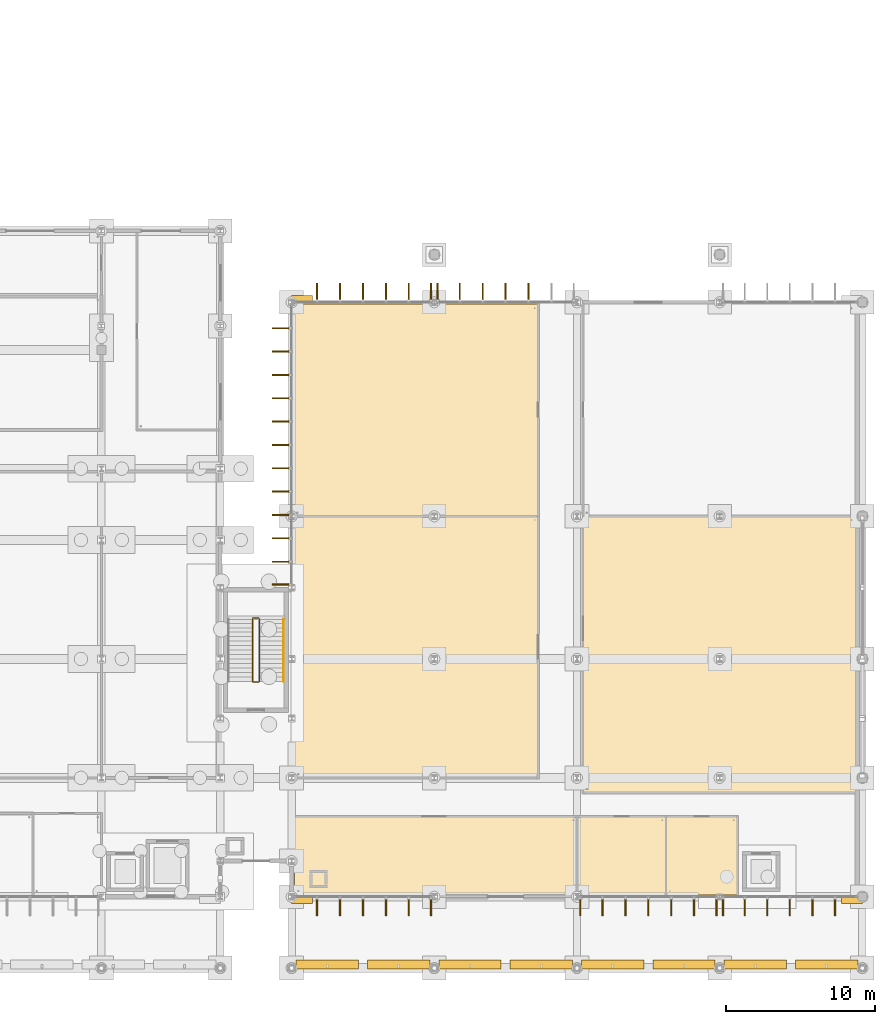
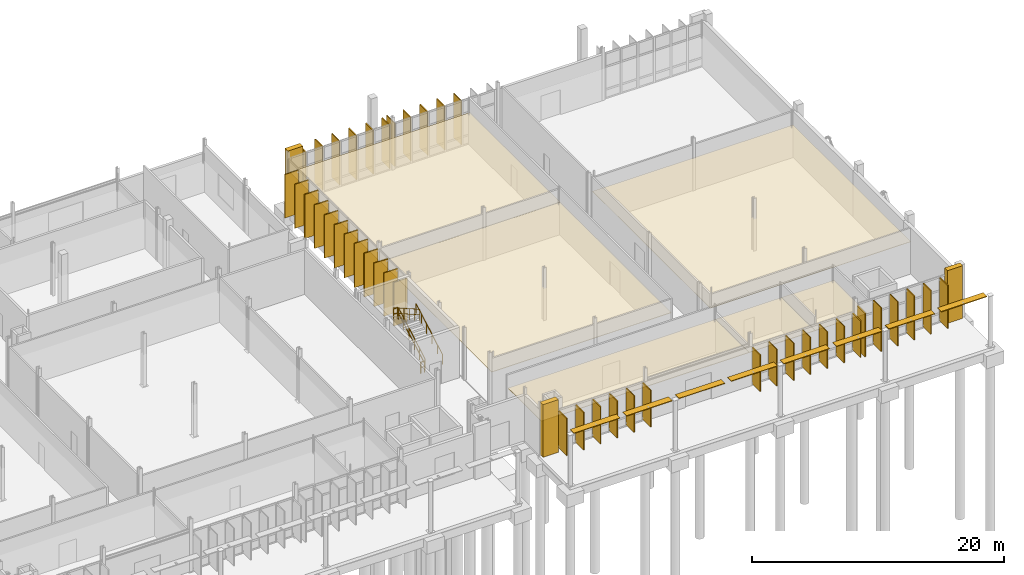
# One storey, part 109 of 111: 51 coverings, 8 shading devices, 5 railings.
"""IFC4 building model written with IfcOpenShell, lengths in metres."""

from ifc_helpers import new_model, si_unit, direction, frame, origin, origin_2d, place, context, subcontext, project, spatial, polyline, rectangle, circle, outline, extrude, material, layer, layer_set, type_object, element, save


model = new_model("IFC4")

# Units and contexts
model_context = context("Model", 3, precision=1e-05, world=origin(), true_north=direction((0.0, 1.0)))
body_context = subcontext(model_context, "Body", "Model", "MODEL_VIEW")
ifc_project = project(units=[si_unit("LENGTHUNIT", "METRE"), si_unit("AREAUNIT", "SQUARE_METRE"), si_unit("VOLUMEUNIT", "CUBIC_METRE"), si_unit("PLANEANGLEUNIT", "RADIAN"), si_unit("MASSUNIT", "GRAM", prefix="KILO")], contexts=[model_context])

# Site, building, storey
site_placement = place(None, origin())
site = spatial("IfcSite", under=ifc_project, at=site_placement, CompositionType="ELEMENT")
building_placement = place(site_placement, origin())
building = spatial("IfcBuilding", under=site, at=building_placement, Name="Dunescarp Central Library", CompositionType="ELEMENT")
storey_placement = place(building_placement, origin())
storey = spatial("IfcBuildingStorey", under=building, at=storey_placement, Name="L00", CompositionType="ELEMENT", Elevation=0.0)

# Coverings
ifc_material_1 = material(Name="Perforated birch acoustic timber baffle", Category="wood")
ifc_layer_1 = layer(ifc_material_1, 0.050048828125)
ifc_layer_set_1 = layer_set([ifc_layer_1], Name="Perforated birch acoustic timber baffle")
covering_type_1 = type_object("IfcCoveringType", Name="ARC-COV-BAFFLE", PredefinedType="CEILING", material=ifc_layer_set_1)
covering_1_placement = place(storey_placement, frame((0.0, 0.0, 3.050048828125)))
element("IfcCovering", 1, at=covering_1_placement, inside=storey, type_object=covering_type_1, Name="L00 ceiling Street-Front Library Cafe & Reading Bar", PredefinedType="CEILING", context=body_context, shape_type="SweptSolid", body=[
    extrude(outline(polyline([(129.780029296875, 4.919921875), (148.820068359375, 4.919921875), (148.820068359375, 10.219970703125), (129.780029296875, 10.219970703125), (129.780029296875, 4.919921875)])), origin(), (0.0, 0.0, 1.0), 0.050048828125),
])
covering_2_placement = place(storey_placement, frame((0.0, 0.0, 3.050048828125)))
element("IfcCovering", 2, at=covering_2_placement, inside=storey, type_object=covering_type_1, Name="L00 ceiling Cafe Servery & Pantry Store", PredefinedType="CEILING", context=body_context, shape_type="SweptSolid", body=[
    extrude(outline(polyline([(148.780029296875, 4.919921875), (154.820068359375, 4.919921875), (154.820068359375, 10.219970703125), (148.780029296875, 10.219970703125), (148.780029296875, 4.919921875)])), origin(), (0.0, 0.0, 1.0), 0.050048828125),
])
covering_3_placement = place(storey_placement, frame((0.0, 0.0, 3.050048828125)))
element("IfcCovering", 3, at=covering_3_placement, inside=storey, type_object=covering_type_1, Name="L00 ceiling Courtyard Quiet Reading Pavilion", PredefinedType="CEILING", context=body_context, shape_type="SweptSolid", body=[
    extrude(outline(polyline([(129.719970703125, 30.3798828125), (146.219970703125, 30.3798828125), (146.219970703125, 44.679931640625), (129.719970703125, 44.679931640625), (129.719970703125, 30.3798828125)])), origin(), (0.0, 0.0, 1.0), 0.050048828125),
])
ifc_material_2 = material(Name="Mineral-fibre acoustic ceiling tile")
ifc_layer_2 = layer(ifc_material_2, 0.0400390625)
ifc_layer_set_2 = layer_set([ifc_layer_2], Name="Mineral-fibre acoustic ceiling tile")
covering_type_2 = type_object("IfcCoveringType", Name="ARC-COV-CEIL40", PredefinedType="CEILING", material=ifc_layer_set_2)
covering_4_placement = place(storey_placement, frame((0.0, 0.0, 3.050048828125)))
element("IfcCovering", 4, at=covering_4_placement, inside=storey, type_object=covering_type_2, Name="L00 ceiling Family & Accessible WC", PredefinedType="CEILING", context=body_context, shape_type="SweptSolid", body=[
    extrude(outline(polyline([(154.780029296875, 4.919921875), (159.6201171875, 4.919921875), (159.6201171875, 10.219970703125), (154.780029296875, 10.219970703125), (154.780029296875, 4.919921875)])), origin(), (0.0, 0.0, 1.0), 0.0400390625),
])
covering_5_placement = place(storey_placement, frame((0.0, 0.0, 3.050048828125)))
element("IfcCovering", 5, at=covering_5_placement, inside=storey, type_object=covering_type_2, Name="L00 ceiling Early-Childhood Storytelling Amphitheatre", PredefinedType="CEILING", context=body_context, shape_type="SweptSolid", body=[
    extrude(outline(polyline([(129.780029296875, 12.780029296875), (146.219970703125, 12.780029296875), (146.219970703125, 30.419921875), (129.780029296875, 30.419921875), (129.780029296875, 12.780029296875)])), origin(), (0.0, 0.0, 1.0), 0.0400390625),
])
covering_6_placement = place(storey_placement, frame((0.0, 0.0, 3.050048828125)))
element("IfcCovering", 6, at=covering_6_placement, inside=storey, type_object=covering_type_2, Name="L00 ceiling Illustrated Picture-Book Hall", PredefinedType="CEILING", context=body_context, shape_type="SweptSolid", body=[
    extrude(outline(polyline([(149.179931640625, 11.780029296875), (167.530029296875, 11.780029296875), (167.530029296875, 30.419921875), (149.179931640625, 30.419921875), (149.179931640625, 11.780029296875)])), origin(), (0.0, 0.0, 1.0), 0.0400390625),
])
ifc_material_3 = material(Name="Glass-fibre reinforced concrete GRC", Category="concrete")
ifc_layer_3 = layer(ifc_material_3, 0.090087890625)
ifc_layer_set_3 = layer_set([ifc_layer_3], Name="Glass-fibre reinforced concrete GRC")
covering_type_3 = type_object("IfcCoveringType", Name="ARC-COV-FIN1250", PredefinedType="CLADDING", material=ifc_layer_set_3)
covering_7_placement = place(storey_placement, frame((138.985107421875, 4.137939453125, 0.1669921875), z_axis=(0.0, 0.0, 1.0), x_axis=(0.0, -1.0, 0.0)))
element("IfcCovering", 7, at=covering_7_placement, inside=storey, type_object=covering_type_3, Name="L00 parametric vertical facade fin FIN-L00-0916", PredefinedType="CLADDING", context=body_context, shape_type="SweptSolid", body=[
    extrude(rectangle(XDim=1.25, YDim=0.090087890625, at=origin_2d()), origin(), (0.0, 0.0, 1.0), 3.55810546875),
])
covering_8_placement = place(storey_placement, frame((137.48291015625, 4.137939453125, 0.180419921875), z_axis=(0.0, 0.0, 1.0), x_axis=(0.0, -1.0, 0.0)))
element("IfcCovering", 8, at=covering_8_placement, inside=storey, type_object=covering_type_3, Name="L00 parametric vertical facade fin FIN-L00-0917", PredefinedType="CLADDING", context=body_context, shape_type="SweptSolid", body=[
    extrude(rectangle(XDim=1.25, YDim=0.090087890625, at=origin_2d()), origin(), (0.0, 0.0, 1.0), 3.544921875),
])
covering_9_placement = place(storey_placement, frame((135.94189453125, 4.137939453125, 0.16455078125), z_axis=(0.0, 0.0, 1.0), x_axis=(0.0, -1.0, 0.0)))
element("IfcCovering", 9, at=covering_9_placement, inside=storey, type_object=covering_type_3, Name="L00 parametric vertical facade fin FIN-L00-0918", PredefinedType="CLADDING", context=body_context, shape_type="SweptSolid", body=[
    extrude(rectangle(XDim=1.25, YDim=0.090087890625, at=origin_2d()), origin(), (0.0, 0.0, 1.0), 3.56103515625),
])
covering_10_placement = place(storey_placement, frame((134.39990234375, 4.137939453125, 0.123046875), z_axis=(0.0, 0.0, 1.0), x_axis=(0.0, -1.0, 0.0)))
element("IfcCovering", 10, at=covering_10_placement, inside=storey, type_object=covering_type_3, Name="L00 parametric vertical facade fin FIN-L00-0919", PredefinedType="CLADDING", context=body_context, shape_type="SweptSolid", body=[
    extrude(rectangle(XDim=1.25, YDim=0.090087890625, at=origin_2d()), origin(), (0.0, 0.0, 1.0), 3.60205078125),
])
covering_11_placement = place(storey_placement, frame((132.85791015625, 4.137939453125, 0.080078125), z_axis=(0.0, 0.0, 1.0), x_axis=(0.0, -1.0, 0.0)))
element("IfcCovering", 11, at=covering_11_placement, inside=storey, type_object=covering_type_3, Name="L00 parametric vertical facade fin FIN-L00-0920", PredefinedType="CLADDING", context=body_context, shape_type="SweptSolid", body=[
    extrude(rectangle(XDim=1.25, YDim=0.090087890625, at=origin_2d()), origin(), (0.0, 0.0, 1.0), 3.634033203125),
])
covering_12_placement = place(storey_placement, frame((131.31689453125, 4.137939453125, 0.080078125), z_axis=(0.0, 0.0, 1.0), x_axis=(0.0, -1.0, 0.0)))
element("IfcCovering", 12, at=covering_12_placement, inside=storey, type_object=covering_type_3, Name="L00 parametric vertical facade fin FIN-L00-0921", PredefinedType="CLADDING", context=body_context, shape_type="SweptSolid", body=[
    extrude(rectangle(XDim=1.25, YDim=0.090087890625, at=origin_2d()), origin(), (0.0, 0.0, 1.0), 3.583984375),
])
covering_13_placement = place(storey_placement, frame((158.18505859375, 4.137939453125, 0.1669921875), z_axis=(0.0, 0.0, 1.0), x_axis=(0.0, -1.0, 0.0)))
element("IfcCovering", 13, at=covering_13_placement, inside=storey, type_object=covering_type_3, Name="L00 parametric vertical facade fin FIN-L00-0922", PredefinedType="CLADDING", context=body_context, shape_type="SweptSolid", body=[
    extrude(rectangle(XDim=1.25, YDim=0.090087890625, at=origin_2d()), origin(), (0.0, 0.0, 1.0), 3.55810546875),
])
covering_14_placement = place(storey_placement, frame((156.68310546875, 4.137939453125, 0.180419921875), z_axis=(0.0, 0.0, 1.0), x_axis=(0.0, -1.0, 0.0)))
element("IfcCovering", 14, at=covering_14_placement, inside=storey, type_object=covering_type_3, Name="L00 parametric vertical facade fin FIN-L00-0923", PredefinedType="CLADDING", context=body_context, shape_type="SweptSolid", body=[
    extrude(rectangle(XDim=1.25, YDim=0.090087890625, at=origin_2d()), origin(), (0.0, 0.0, 1.0), 3.544921875),
])
covering_15_placement = place(storey_placement, frame((155.14208984375, 4.137939453125, 0.16455078125), z_axis=(0.0, 0.0, 1.0), x_axis=(0.0, -1.0, 0.0)))
element("IfcCovering", 15, at=covering_15_placement, inside=storey, type_object=covering_type_3, Name="L00 parametric vertical facade fin FIN-L00-0924", PredefinedType="CLADDING", context=body_context, shape_type="SweptSolid", body=[
    extrude(rectangle(XDim=1.25, YDim=0.090087890625, at=origin_2d()), origin(), (0.0, 0.0, 1.0), 3.56103515625),
])
covering_16_placement = place(storey_placement, frame((153.60009765625, 4.137939453125, 0.123046875), z_axis=(0.0, 0.0, 1.0), x_axis=(0.0, -1.0, 0.0)))
element("IfcCovering", 16, at=covering_16_placement, inside=storey, type_object=covering_type_3, Name="L00 parametric vertical facade fin FIN-L00-0925", PredefinedType="CLADDING", context=body_context, shape_type="SweptSolid", body=[
    extrude(rectangle(XDim=1.25, YDim=0.090087890625, at=origin_2d()), origin(), (0.0, 0.0, 1.0), 3.60205078125),
])
covering_17_placement = place(storey_placement, frame((152.05810546875, 4.137939453125, 0.080078125), z_axis=(0.0, 0.0, 1.0), x_axis=(0.0, -1.0, 0.0)))
element("IfcCovering", 17, at=covering_17_placement, inside=storey, type_object=covering_type_3, Name="L00 parametric vertical facade fin FIN-L00-0926", PredefinedType="CLADDING", context=body_context, shape_type="SweptSolid", body=[
    extrude(rectangle(XDim=1.25, YDim=0.090087890625, at=origin_2d()), origin(), (0.0, 0.0, 1.0), 3.634033203125),
])
covering_18_placement = place(storey_placement, frame((150.51708984375, 4.137939453125, 0.080078125), z_axis=(0.0, 0.0, 1.0), x_axis=(0.0, -1.0, 0.0)))
element("IfcCovering", 18, at=covering_18_placement, inside=storey, type_object=covering_type_3, Name="L00 parametric vertical facade fin FIN-L00-0927", PredefinedType="CLADDING", context=body_context, shape_type="SweptSolid", body=[
    extrude(rectangle(XDim=1.25, YDim=0.090087890625, at=origin_2d()), origin(), (0.0, 0.0, 1.0), 3.583984375),
])
covering_19_placement = place(storey_placement, frame((149.014892578125, 4.137939453125, 0.07958984375), z_axis=(0.0, 0.0, 1.0), x_axis=(0.0, -1.0, 0.0)))
element("IfcCovering", 19, at=covering_19_placement, inside=storey, type_object=covering_type_3, Name="L00 parametric vertical facade fin FIN-L00-0928", PredefinedType="CLADDING", context=body_context, shape_type="SweptSolid", body=[
    extrude(rectangle(XDim=1.25, YDim=0.090087890625, at=origin_2d()), origin(), (0.0, 0.0, 1.0), 3.551025390625),
])
covering_20_placement = place(storey_placement, frame((166.14990234375, 4.137939453125, 0.18017578125), z_axis=(0.0, 0.0, 1.0), x_axis=(0.0, -1.0, 0.0)))
element("IfcCovering", 20, at=covering_20_placement, inside=storey, type_object=covering_type_3, Name="L00 parametric vertical facade fin FIN-L00-0929", PredefinedType="CLADDING", context=body_context, shape_type="SweptSolid", body=[
    extrude(rectangle(XDim=1.25, YDim=0.090087890625, at=origin_2d()), origin(), (0.0, 0.0, 1.0), 4.181884765625),
])
covering_21_placement = place(storey_placement, frame((164.635009765625, 4.137939453125, 0.1640625), z_axis=(0.0, 0.0, 1.0), x_axis=(0.0, -1.0, 0.0)))
element("IfcCovering", 21, at=covering_21_placement, inside=storey, type_object=covering_type_3, Name="L00 parametric vertical facade fin FIN-L00-0930", PredefinedType="CLADDING", context=body_context, shape_type="SweptSolid", body=[
    extrude(rectangle(XDim=1.25, YDim=0.090087890625, at=origin_2d()), origin(), (0.0, 0.0, 1.0), 4.197998046875),
])
covering_22_placement = place(storey_placement, frame((163.1201171875, 4.137939453125, 0.12353515625), z_axis=(0.0, 0.0, 1.0), x_axis=(0.0, -1.0, 0.0)))
element("IfcCovering", 22, at=covering_22_placement, inside=storey, type_object=covering_type_3, Name="L00 parametric vertical facade fin FIN-L00-0931", PredefinedType="CLADDING", context=body_context, shape_type="SweptSolid", body=[
    extrude(rectangle(XDim=1.25, YDim=0.090087890625, at=origin_2d()), origin(), (0.0, 0.0, 1.0), 4.239013671875),
])
covering_23_placement = place(storey_placement, frame((161.60498046875, 4.137939453125, 0.08056640625), z_axis=(0.0, 0.0, 1.0), x_axis=(0.0, -1.0, 0.0)))
element("IfcCovering", 23, at=covering_23_placement, inside=storey, type_object=covering_type_3, Name="L00 parametric vertical facade fin FIN-L00-0932", PredefinedType="CLADDING", context=body_context, shape_type="SweptSolid", body=[
    extrude(rectangle(XDim=1.25, YDim=0.090087890625, at=origin_2d()), origin(), (0.0, 0.0, 1.0), 4.27099609375),
])
covering_24_placement = place(storey_placement, frame((160.090087890625, 4.137939453125, 0.08056640625), z_axis=(0.0, 0.0, 1.0), x_axis=(0.0, -1.0, 0.0)))
element("IfcCovering", 24, at=covering_24_placement, inside=storey, type_object=covering_type_3, Name="L00 parametric vertical facade fin FIN-L00-0933", PredefinedType="CLADDING", context=body_context, shape_type="SweptSolid", body=[
    extrude(rectangle(XDim=1.25, YDim=0.090087890625, at=origin_2d()), origin(), (0.0, 0.0, 1.0), 4.220947265625),
])
covering_25_placement = place(storey_placement, frame((158.614990234375, 4.137939453125, 0.080078125), z_axis=(0.0, 0.0, 1.0), x_axis=(0.0, -1.0, 0.0)))
element("IfcCovering", 25, at=covering_25_placement, inside=storey, type_object=covering_type_3, Name="L00 parametric vertical facade fin FIN-L00-0934", PredefinedType="CLADDING", context=body_context, shape_type="SweptSolid", body=[
    extrude(rectangle(XDim=1.25, YDim=0.090087890625, at=origin_2d()), origin(), (0.0, 0.0, 1.0), 4.18798828125),
])
covering_26_placement = place(storey_placement, frame((131.31689453125, 45.4619140625, 0.18017578125), z_axis=(0.0, 0.0, 1.0), x_axis=(0.0, 1.0, 0.0)))
element("IfcCovering", 26, at=covering_26_placement, inside=storey, type_object=covering_type_3, Name="L00 parametric vertical facade fin FIN-L00-0935", PredefinedType="CLADDING", context=body_context, shape_type="SweptSolid", body=[
    extrude(rectangle(XDim=1.25, YDim=0.090087890625, at=origin_2d()), origin(), (0.0, 0.0, 1.0), 4.181884765625),
])
covering_27_placement = place(storey_placement, frame((132.85791015625, 45.4619140625, 0.1640625), z_axis=(0.0, 0.0, 1.0), x_axis=(0.0, 1.0, 0.0)))
element("IfcCovering", 27, at=covering_27_placement, inside=storey, type_object=covering_type_3, Name="L00 parametric vertical facade fin FIN-L00-0936", PredefinedType="CLADDING", context=body_context, shape_type="SweptSolid", body=[
    extrude(rectangle(XDim=1.25, YDim=0.090087890625, at=origin_2d()), origin(), (0.0, 0.0, 1.0), 4.197998046875),
])
covering_28_placement = place(storey_placement, frame((134.39990234375, 45.4619140625, 0.12353515625), z_axis=(0.0, 0.0, 1.0), x_axis=(0.0, 1.0, 0.0)))
element("IfcCovering", 28, at=covering_28_placement, inside=storey, type_object=covering_type_3, Name="L00 parametric vertical facade fin FIN-L00-0937", PredefinedType="CLADDING", context=body_context, shape_type="SweptSolid", body=[
    extrude(rectangle(XDim=1.25, YDim=0.090087890625, at=origin_2d()), origin(), (0.0, 0.0, 1.0), 4.239013671875),
])
covering_29_placement = place(storey_placement, frame((135.94189453125, 45.4619140625, 0.08056640625), z_axis=(0.0, 0.0, 1.0), x_axis=(0.0, 1.0, 0.0)))
element("IfcCovering", 29, at=covering_29_placement, inside=storey, type_object=covering_type_3, Name="L00 parametric vertical facade fin FIN-L00-0938", PredefinedType="CLADDING", context=body_context, shape_type="SweptSolid", body=[
    extrude(rectangle(XDim=1.25, YDim=0.090087890625, at=origin_2d()), origin(), (0.0, 0.0, 1.0), 4.27099609375),
])
covering_30_placement = place(storey_placement, frame((137.48291015625, 45.4619140625, 0.08056640625), z_axis=(0.0, 0.0, 1.0), x_axis=(0.0, 1.0, 0.0)))
element("IfcCovering", 30, at=covering_30_placement, inside=storey, type_object=covering_type_3, Name="L00 parametric vertical facade fin FIN-L00-0939", PredefinedType="CLADDING", context=body_context, shape_type="SweptSolid", body=[
    extrude(rectangle(XDim=1.25, YDim=0.090087890625, at=origin_2d()), origin(), (0.0, 0.0, 1.0), 4.220947265625),
])
covering_31_placement = place(storey_placement, frame((138.985107421875, 45.4619140625, 0.080078125), z_axis=(0.0, 0.0, 1.0), x_axis=(0.0, 1.0, 0.0)))
element("IfcCovering", 31, at=covering_31_placement, inside=storey, type_object=covering_type_3, Name="L00 parametric vertical facade fin FIN-L00-0940", PredefinedType="CLADDING", context=body_context, shape_type="SweptSolid", body=[
    extrude(rectangle(XDim=1.25, YDim=0.090087890625, at=origin_2d()), origin(), (0.0, 0.0, 1.0), 4.18798828125),
])
covering_32_placement = place(storey_placement, frame((139.4150390625, 45.4619140625, 0.16650390625), z_axis=(0.0, 0.0, 1.0), x_axis=(0.0, 1.0, 0.0)))
element("IfcCovering", 32, at=covering_32_placement, inside=storey, type_object=covering_type_3, Name="L00 parametric vertical facade fin FIN-L00-0941", PredefinedType="CLADDING", context=body_context, shape_type="SweptSolid", body=[
    extrude(rectangle(XDim=1.25, YDim=0.090087890625, at=origin_2d()), origin(), (0.0, 0.0, 1.0), 4.195068359375),
])
covering_33_placement = place(storey_placement, frame((140.9169921875, 45.4619140625, 0.18017578125), z_axis=(0.0, 0.0, 1.0), x_axis=(0.0, 1.0, 0.0)))
element("IfcCovering", 33, at=covering_33_placement, inside=storey, type_object=covering_type_3, Name="L00 parametric vertical facade fin FIN-L00-0942", PredefinedType="CLADDING", context=body_context, shape_type="SweptSolid", body=[
    extrude(rectangle(XDim=1.25, YDim=0.090087890625, at=origin_2d()), origin(), (0.0, 0.0, 1.0), 4.181884765625),
])
covering_34_placement = place(storey_placement, frame((142.4580078125, 45.4619140625, 0.1640625), z_axis=(0.0, 0.0, 1.0), x_axis=(0.0, 1.0, 0.0)))
element("IfcCovering", 34, at=covering_34_placement, inside=storey, type_object=covering_type_3, Name="L00 parametric vertical facade fin FIN-L00-0943", PredefinedType="CLADDING", context=body_context, shape_type="SweptSolid", body=[
    extrude(rectangle(XDim=1.25, YDim=0.090087890625, at=origin_2d()), origin(), (0.0, 0.0, 1.0), 4.197998046875),
])
covering_35_placement = place(storey_placement, frame((144.0, 45.4619140625, 0.12353515625), z_axis=(0.0, 0.0, 1.0), x_axis=(0.0, 1.0, 0.0)))
element("IfcCovering", 35, at=covering_35_placement, inside=storey, type_object=covering_type_3, Name="L00 parametric vertical facade fin FIN-L00-0944", PredefinedType="CLADDING", context=body_context, shape_type="SweptSolid", body=[
    extrude(rectangle(XDim=1.25, YDim=0.090087890625, at=origin_2d()), origin(), (0.0, 0.0, 1.0), 4.239013671875),
])
covering_36_placement = place(storey_placement, frame((145.5419921875, 45.4619140625, 0.08056640625), z_axis=(0.0, 0.0, 1.0), x_axis=(0.0, 1.0, 0.0)))
element("IfcCovering", 36, at=covering_36_placement, inside=storey, type_object=covering_type_3, Name="L00 parametric vertical facade fin FIN-L00-0945", PredefinedType="CLADDING", context=body_context, shape_type="SweptSolid", body=[
    extrude(rectangle(XDim=1.25, YDim=0.090087890625, at=origin_2d()), origin(), (0.0, 0.0, 1.0), 4.27099609375),
])
covering_37_placement = place(storey_placement, frame((128.93798828125, 25.81494140625, 0.16650390625), z_axis=(0.0, 0.0, 1.0), x_axis=(-1.0, 0.0, 0.0)))
element("IfcCovering", 37, at=covering_37_placement, inside=storey, type_object=covering_type_3, Name="L00 parametric vertical facade fin FIN-L00-0954", PredefinedType="CLADDING", context=body_context, shape_type="SweptSolid", body=[
    extrude(rectangle(XDim=1.25, YDim=0.090087890625, at=origin_2d()), origin(), (0.0, 0.0, 1.0), 4.195068359375),
])
covering_38_placement = place(storey_placement, frame((128.93798828125, 27.345947265625, 0.18017578125), z_axis=(0.0, 0.0, 1.0), x_axis=(-1.0, 0.0, 0.0)))
element("IfcCovering", 38, at=covering_38_placement, inside=storey, type_object=covering_type_3, Name="L00 parametric vertical facade fin FIN-L00-0955", PredefinedType="CLADDING", context=body_context, shape_type="SweptSolid", body=[
    extrude(rectangle(XDim=1.25, YDim=0.090087890625, at=origin_2d()), origin(), (0.0, 0.0, 1.0), 4.181884765625),
])
covering_39_placement = place(storey_placement, frame((128.93798828125, 28.9169921875, 0.1640625), z_axis=(0.0, 0.0, 1.0), x_axis=(-1.0, 0.0, 0.0)))
element("IfcCovering", 39, at=covering_39_placement, inside=storey, type_object=covering_type_3, Name="L00 parametric vertical facade fin FIN-L00-0956", PredefinedType="CLADDING", context=body_context, shape_type="SweptSolid", body=[
    extrude(rectangle(XDim=1.25, YDim=0.090087890625, at=origin_2d()), origin(), (0.0, 0.0, 1.0), 4.197998046875),
])
covering_40_placement = place(storey_placement, frame((128.93798828125, 30.487060546875, 0.12353515625), z_axis=(0.0, 0.0, 1.0), x_axis=(-1.0, 0.0, 0.0)))
element("IfcCovering", 40, at=covering_40_placement, inside=storey, type_object=covering_type_3, Name="L00 parametric vertical facade fin FIN-L00-0957", PredefinedType="CLADDING", context=body_context, shape_type="SweptSolid", body=[
    extrude(rectangle(XDim=1.25, YDim=0.090087890625, at=origin_2d()), origin(), (0.0, 0.0, 1.0), 4.239013671875),
])
covering_41_placement = place(storey_placement, frame((128.93798828125, 32.05810546875, 0.08056640625), z_axis=(0.0, 0.0, 1.0), x_axis=(-1.0, 0.0, 0.0)))
element("IfcCovering", 41, at=covering_41_placement, inside=storey, type_object=covering_type_3, Name="L00 parametric vertical facade fin FIN-L00-0958", PredefinedType="CLADDING", context=body_context, shape_type="SweptSolid", body=[
    extrude(rectangle(XDim=1.25, YDim=0.090087890625, at=origin_2d()), origin(), (0.0, 0.0, 1.0), 4.27099609375),
])
covering_42_placement = place(storey_placement, frame((128.93798828125, 33.62890625, 0.08056640625), z_axis=(0.0, 0.0, 1.0), x_axis=(-1.0, 0.0, 0.0)))
element("IfcCovering", 42, at=covering_42_placement, inside=storey, type_object=covering_type_3, Name="L00 parametric vertical facade fin FIN-L00-0959", PredefinedType="CLADDING", context=body_context, shape_type="SweptSolid", body=[
    extrude(rectangle(XDim=1.25, YDim=0.090087890625, at=origin_2d()), origin(), (0.0, 0.0, 1.0), 4.220947265625),
])
covering_43_placement = place(storey_placement, frame((128.93798828125, 35.199951171875, 0.080078125), z_axis=(0.0, 0.0, 1.0), x_axis=(-1.0, 0.0, 0.0)))
element("IfcCovering", 43, at=covering_43_placement, inside=storey, type_object=covering_type_3, Name="L00 parametric vertical facade fin FIN-L00-0960", PredefinedType="CLADDING", context=body_context, shape_type="SweptSolid", body=[
    extrude(rectangle(XDim=1.25, YDim=0.090087890625, at=origin_2d()), origin(), (0.0, 0.0, 1.0), 4.18798828125),
])
covering_44_placement = place(storey_placement, frame((128.93798828125, 36.77099609375, 0.080078125), z_axis=(0.0, 0.0, 1.0), x_axis=(-1.0, 0.0, 0.0)))
element("IfcCovering", 44, at=covering_44_placement, inside=storey, type_object=covering_type_3, Name="L00 parametric vertical facade fin FIN-L00-0961", PredefinedType="CLADDING", context=body_context, shape_type="SweptSolid", body=[
    extrude(rectangle(XDim=1.25, YDim=0.090087890625, at=origin_2d()), origin(), (0.0, 0.0, 1.0), 4.18408203125),
])
covering_45_placement = place(storey_placement, frame((128.93798828125, 38.342041015625, 0.080078125), z_axis=(0.0, 0.0, 1.0), x_axis=(-1.0, 0.0, 0.0)))
element("IfcCovering", 45, at=covering_45_placement, inside=storey, type_object=covering_type_3, Name="L00 parametric vertical facade fin FIN-L00-0962", PredefinedType="CLADDING", context=body_context, shape_type="SweptSolid", body=[
    extrude(rectangle(XDim=1.25, YDim=0.090087890625, at=origin_2d()), origin(), (0.0, 0.0, 1.0), 4.2080078125),
])
covering_46_placement = place(storey_placement, frame((128.93798828125, 39.9130859375, 0.080078125), z_axis=(0.0, 0.0, 1.0), x_axis=(-1.0, 0.0, 0.0)))
element("IfcCovering", 46, at=covering_46_placement, inside=storey, type_object=covering_type_3, Name="L00 parametric vertical facade fin FIN-L00-0963", PredefinedType="CLADDING", context=body_context, shape_type="SweptSolid", body=[
    extrude(rectangle(XDim=1.25, YDim=0.090087890625, at=origin_2d()), origin(), (0.0, 0.0, 1.0), 4.25390625),
])
covering_47_placement = place(storey_placement, frame((128.93798828125, 41.48291015625, 0.10595703125), z_axis=(0.0, 0.0, 1.0), x_axis=(-1.0, 0.0, 0.0)))
element("IfcCovering", 47, at=covering_47_placement, inside=storey, type_object=covering_type_3, Name="L00 parametric vertical facade fin FIN-L00-0964", PredefinedType="CLADDING", context=body_context, shape_type="SweptSolid", body=[
    extrude(rectangle(XDim=1.25, YDim=0.090087890625, at=origin_2d()), origin(), (0.0, 0.0, 1.0), 4.256103515625),
])
covering_48_placement = place(storey_placement, frame((128.93798828125, 43.053955078125, 0.152587890625), z_axis=(0.0, 0.0, 1.0), x_axis=(-1.0, 0.0, 0.0)))
element("IfcCovering", 48, at=covering_48_placement, inside=storey, type_object=covering_type_3, Name="L00 parametric vertical facade fin FIN-L00-0965", PredefinedType="CLADDING", context=body_context, shape_type="SweptSolid", body=[
    extrude(rectangle(XDim=1.25, YDim=0.090087890625, at=origin_2d()), origin(), (0.0, 0.0, 1.0), 4.208984375),
])
ifc_layer_4 = layer(ifc_material_3, 0.449951171875)
ifc_layer_set_4 = layer_set([ifc_layer_4], Name="Glass-fibre reinforced concrete GRC")
covering_type_4 = type_object("IfcCoveringType", Name="ARC-COV-PORTAL", PredefinedType="CLADDING", material=ifc_layer_set_4)
for number, where, z_axis, x_axis, name in (
    (49, (130.300048828125, 4.580078125, 0.0), (0.0, 0.0, 1.0), (1.0, 0.0, 0.0), "V5 sculpted GRC portal pier PRT-BAND-V5-049"),
    (50, (130.300048828125, 45.02001953125, 0.0), (0.0, 0.0, 1.0), (1.0, 0.0, 0.0), "V5 sculpted GRC portal pier PRT-BAND-V5-050"),
    (51, (167.300048828125, 4.580078125, 0.0), (0.0, 0.0, 1.0), (1.0, 0.0, 0.0), "V5 sculpted GRC portal pier PRT-BAND-V5-051"),
):
    element("IfcCovering", number, at=place(storey_placement, frame(where, z_axis=z_axis, x_axis=x_axis)), inside=storey, type_object=covering_type_4, Name=name, PredefinedType="CLADDING", context=body_context, shape_type="SweptSolid", body=[
        extrude(rectangle(XDim=1.39990234375, YDim=0.449951171875, at=origin_2d()), origin(), (0.0, 0.0, 1.0), 5.10009765625),
    ])

# Railings
ifc_material_4 = material(Name="Stainless steel Grade 316L", Category="steel")
railing_type_1 = type_object("IfcRailingType", Name="ARC-RL-GUARD", PredefinedType="GUARDRAIL", material=ifc_material_4)
railing_1_placement = place(storey_placement, frame((127.429931640625, 19.300048828125, 0.169921875)))
element("IfcRailing", 52, at=railing_1_placement, inside=storey, type_object=railing_type_1, Name="L00 ST-5 stair guard 1", PredefinedType="GUARDRAIL", context=body_context, shape_type="SweptSolid", body=[
    extrude(circle(Radius=0.02392578125, at=origin_2d()), frame((0.0, 0.0, 1.076171875), z_axis=(0.0, 0.870008446991, 0.493036816236), x_axis=(-1.0, 0.0, 0.0)), (0.0, 0.0, 1.0), 4.827392578125),
    extrude(circle(Radius=0.02392578125, at=origin_2d()), frame((0.0, 0.0, 0.550048828125), z_axis=(0.0, 0.870008446991, 0.493036816236), x_axis=(-1.0, 0.0, 0.0)), (0.0, 0.0, 1.0), 4.827392578125),
    extrude(circle(Radius=0.02099609375, at=origin_2d()), origin(), (0.0, 0.0, 1.0), 1.052001953125),
    extrude(circle(Radius=0.02099609375, at=origin_2d()), frame((0.0, 0.840087890625, 0.47607421875)), (0.0, 0.0, 1.0), 1.052001953125),
    extrude(circle(Radius=0.02099609375, at=origin_2d()), frame((0.0, 1.679931640625, 0.9521484375)), (0.0, 0.0, 1.0), 1.052001953125),
    extrude(circle(Radius=0.02099609375, at=origin_2d()), frame((0.0, 2.52001953125, 1.427978515625)), (0.0, 0.0, 1.0), 1.052001953125),
    extrude(circle(Radius=0.02099609375, at=origin_2d()), frame((0.0, 3.35986328125, 1.904052734375)), (0.0, 0.0, 1.0), 1.052001953125),
    extrude(circle(Radius=0.02099609375, at=origin_2d()), frame((0.0, 4.199951171875, 2.380126953125)), (0.0, 0.0, 1.0), 1.052001953125),
])
railing_2_placement = place(storey_placement, frame((127.3798828125, 23.550048828125, 2.550048828125)))
element("IfcRailing", 53, at=railing_2_placement, inside=storey, type_object=railing_type_1, Name="L00 ST-5 stair guard 2", PredefinedType="GUARDRAIL", context=body_context, shape_type="SweptSolid", body=[
    extrude(circle(Radius=0.02392578125, at=origin_2d()), frame((0.0, 0.0, 1.076171875), z_axis=(-1.0, 0.0, 0.0), x_axis=(0.0, -1.0, 0.0)), (0.0, 0.0, 1.0), 0.35986328125),
    extrude(circle(Radius=0.02392578125, at=origin_2d()), frame((0.0, 0.0, 0.550048828125), z_axis=(-1.0, 0.0, 0.0), x_axis=(0.0, -1.0, 0.0)), (0.0, 0.0, 1.0), 0.35986328125),
    extrude(circle(Radius=0.02099609375, at=origin_2d()), origin(), (0.0, 0.0, 1.0), 1.052001953125),
    extrude(circle(Radius=0.02099609375, at=origin_2d()), frame((-0.35986328125, 0.0, 0.0)), (0.0, 0.0, 1.0), 1.052001953125),
])
railing_3_placement = place(storey_placement, frame((126.969970703125, 23.5, 2.719970703125)))
element("IfcRailing", 54, at=railing_3_placement, inside=storey, type_object=railing_type_1, Name="L00 ST-5 stair guard 3", PredefinedType="GUARDRAIL", context=body_context, shape_type="SweptSolid", body=[
    extrude(circle(Radius=0.02392578125, at=origin_2d()), frame((0.0, 0.0, 1.076171875), z_axis=(0.0, -0.870008446991, 0.493036816236), x_axis=(1.0, 0.0, 0.0)), (0.0, 0.0, 1.0), 4.827392578125),
    extrude(circle(Radius=0.02392578125, at=origin_2d()), frame((0.0, 0.0, 0.550048828125), z_axis=(0.0, -0.870008446991, 0.493036816236), x_axis=(1.0, 0.0, 0.0)), (0.0, 0.0, 1.0), 4.827392578125),
    extrude(circle(Radius=0.02099609375, at=origin_2d()), origin(), (0.0, 0.0, 1.0), 1.052001953125),
    extrude(circle(Radius=0.02099609375, at=origin_2d()), frame((0.0, -0.840087890625, 0.47607421875)), (0.0, 0.0, 1.0), 1.052001953125),
    extrude(circle(Radius=0.02099609375, at=origin_2d()), frame((0.0, -1.679931640625, 0.9521484375)), (0.0, 0.0, 1.0), 1.052001953125),
    extrude(circle(Radius=0.02099609375, at=origin_2d()), frame((0.0, -2.52001953125, 1.427978515625)), (0.0, 0.0, 1.0), 1.052001953125),
    extrude(circle(Radius=0.02099609375, at=origin_2d()), frame((0.0, -3.35986328125, 1.904052734375)), (0.0, 0.0, 1.0), 1.052001953125),
    extrude(circle(Radius=0.02099609375, at=origin_2d()), frame((0.0, -4.199951171875, 2.380126953125)), (0.0, 0.0, 1.0), 1.052001953125),
])
railing_4_placement = place(storey_placement, frame((127.3798828125, 19.25, 0.0)))
element("IfcRailing", 55, at=railing_4_placement, inside=storey, type_object=railing_type_1, Name="L00 ST-5 stair guard 4", PredefinedType="GUARDRAIL", context=body_context, shape_type="SweptSolid", body=[
    extrude(circle(Radius=0.02392578125, at=origin_2d()), frame((0.0, 0.0, 1.076171875), z_axis=(-1.0, 0.0, 0.0), x_axis=(0.0, -1.0, 0.0)), (0.0, 0.0, 1.0), 0.35986328125),
    extrude(circle(Radius=0.02392578125, at=origin_2d()), frame((0.0, 0.0, 0.550048828125), z_axis=(-1.0, 0.0, 0.0), x_axis=(0.0, -1.0, 0.0)), (0.0, 0.0, 1.0), 0.35986328125),
    extrude(circle(Radius=0.02099609375, at=origin_2d()), origin(), (0.0, 0.0, 1.0), 1.052001953125),
    extrude(circle(Radius=0.02099609375, at=origin_2d()), frame((-0.35986328125, 0.0, 0.0)), (0.0, 0.0, 1.0), 1.052001953125),
])
railing_type_2 = type_object("IfcRailingType", Name="ARC-RL-HAND", PredefinedType="HANDRAIL", material=ifc_material_4)
railing_5_placement = place(storey_placement, frame((129.050048828125, 19.300048828125, 0.169921875)))
element("IfcRailing", 56, at=railing_5_placement, inside=storey, type_object=railing_type_2, Name="L00 ST-5 stair handrail 1", PredefinedType="HANDRAIL", context=body_context, shape_type="SweptSolid", body=[
    extrude(circle(Radius=0.02392578125, at=origin_2d()), frame((0.0, 0.0, 0.8857421875), z_axis=(0.0, 0.870008446991, 0.493036816236), x_axis=(-1.0, 0.0, 0.0)), (0.0, 0.0, 1.0), 4.827392578125),
    extrude(circle(Radius=0.02099609375, at=origin_2d()), origin(), (0.0, 0.0, 1.0), 0.86181640625),
    extrude(circle(Radius=0.02099609375, at=origin_2d()), frame((0.0, 0.840087890625, 0.47607421875)), (0.0, 0.0, 1.0), 0.86181640625),
    extrude(circle(Radius=0.02099609375, at=origin_2d()), frame((0.0, 1.679931640625, 0.9521484375)), (0.0, 0.0, 1.0), 0.86181640625),
    extrude(circle(Radius=0.02099609375, at=origin_2d()), frame((0.0, 2.52001953125, 1.427978515625)), (0.0, 0.0, 1.0), 0.86181640625),
    extrude(circle(Radius=0.02099609375, at=origin_2d()), frame((0.0, 3.35986328125, 1.904052734375)), (0.0, 0.0, 1.0), 0.86181640625),
    extrude(circle(Radius=0.02099609375, at=origin_2d()), frame((0.0, 4.199951171875, 2.380126953125)), (0.0, 0.0, 1.0), 0.86181640625),
])

# Shading devices
ifc_material_5 = material(Name="Marine-grade anodised aluminium 6063-T6", Category="aluminium")
ifc_layer_5 = layer(ifc_material_5, 0.06005859375)
ifc_layer_set_5 = layer_set([ifc_layer_5], Name="Marine-grade anodised aluminium 6063-T6")
shading_device_type = type_object("IfcShadingDeviceType", Name="ARC-SHD-LVR", PredefinedType="SHUTTER", material=ifc_layer_set_5)
for number, where, z_axis, x_axis, name in (
    (57, (132.0, 0.25, 4.85986328125), (0.0, 0.0, 1.0), (1.0, 0.0, 0.0), "Colonnade sunshade louvre LVR-COL-025"),
    (58, (136.800048828125, 0.25, 4.85986328125), (0.0, 0.0, 1.0), (1.0, 0.0, 0.0), "Colonnade sunshade louvre LVR-COL-026"),
    (59, (141.60009765625, 0.25, 4.85986328125), (0.0, 0.0, 1.0), (1.0, 0.0, 0.0), "Colonnade sunshade louvre LVR-COL-027"),
    (60, (146.39990234375, 0.25, 4.85986328125), (0.0, 0.0, 1.0), (1.0, 0.0, 0.0), "Colonnade sunshade louvre LVR-COL-028"),
    (61, (151.199951171875, 0.25, 4.85986328125), (0.0, 0.0, 1.0), (1.0, 0.0, 0.0), "Colonnade sunshade louvre LVR-COL-029"),
    (62, (156.0, 0.25, 4.85986328125), (0.0, 0.0, 1.0), (1.0, 0.0, 0.0), "Colonnade sunshade louvre LVR-COL-030"),
    (63, (160.800048828125, 0.25, 4.85986328125), (0.0, 0.0, 1.0), (1.0, 0.0, 0.0), "Colonnade sunshade louvre LVR-COL-031"),
    (64, (165.60009765625, 0.25, 4.85986328125), (0.0, 0.0, 1.0), (1.0, 0.0, 0.0), "Colonnade sunshade louvre LVR-COL-032"),
):
    element("IfcShadingDevice", number, at=place(storey_placement, frame(where, z_axis=z_axis, x_axis=x_axis)), inside=storey, type_object=shading_device_type, Name=name, PredefinedType="SHUTTER", context=body_context, shape_type="SweptSolid", body=[
        extrude(rectangle(XDim=4.199951171875, YDim=0.60009765625, at=origin_2d()), origin(), (0.0, 0.0, 1.0), 0.06005859375),
    ])

save(model, "model.ifc")
